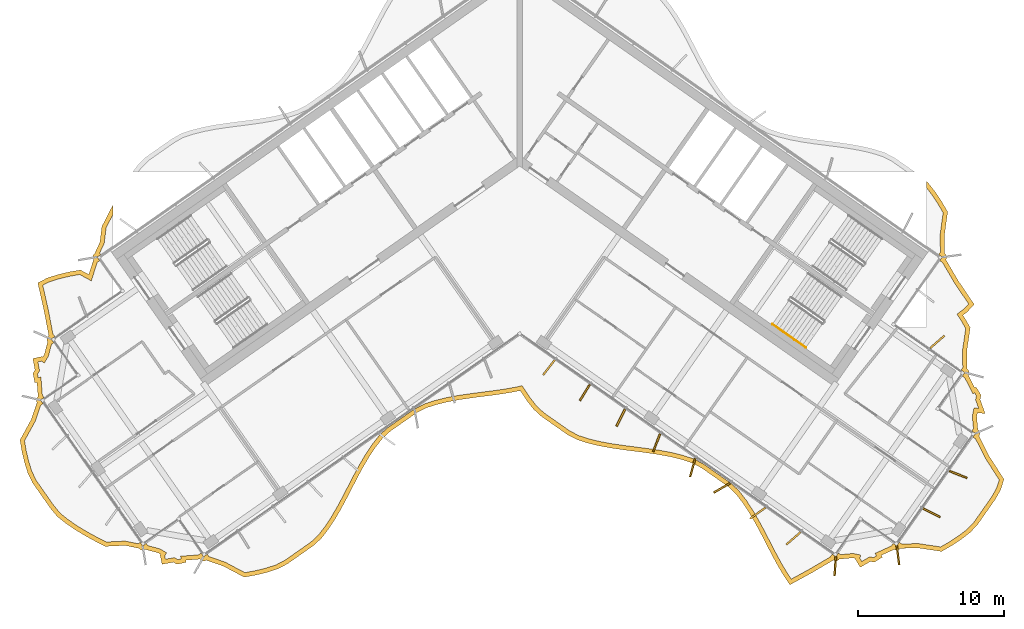
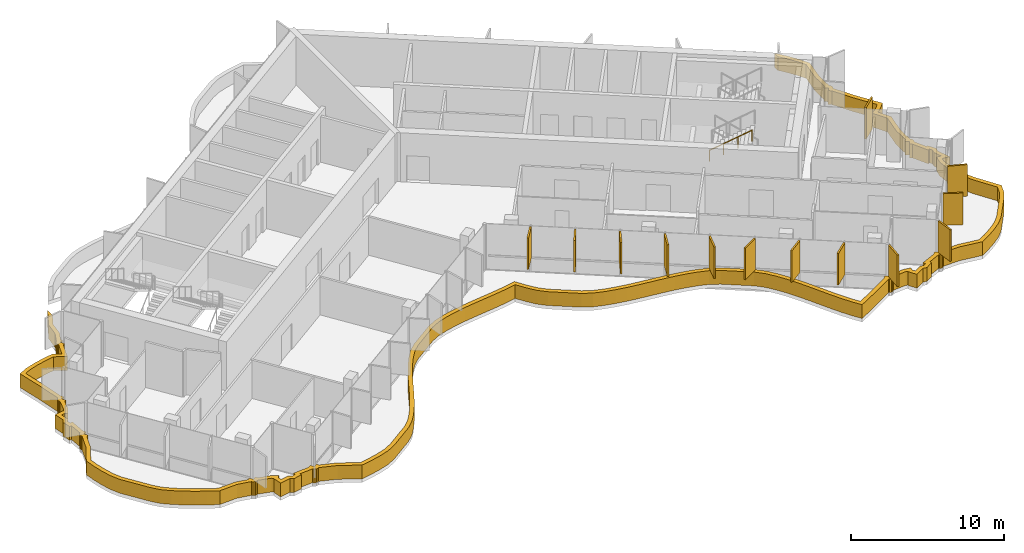
# One storey, part 16 of 18: 14 shading devices, 1 railing.
"""IFC4 building model written with IfcOpenShell, lengths in metres."""

from ifc_helpers import new_model, si_unit, direction, frame, origin, origin_2d, place, context, subcontext, project, spatial, polyline, rectangle, circle, outline, extrude, material, layer, layer_set, type_object, element, save


model = new_model("IFC4")

# Units and contexts
model_context = context("Model", 3, precision=1e-05, world=origin(), true_north=direction((0.0, 1.0)))
body_context = subcontext(model_context, "Body", "Model", "MODEL_VIEW")
ifc_project = project(units=[si_unit("LENGTHUNIT", "METRE"), si_unit("AREAUNIT", "SQUARE_METRE"), si_unit("VOLUMEUNIT", "CUBIC_METRE"), si_unit("PLANEANGLEUNIT", "RADIAN"), si_unit("MASSUNIT", "GRAM", prefix="KILO")], contexts=[model_context])

# Site, building, storey
site_placement = place(None, origin())
site = spatial("IfcSite", under=ifc_project, at=site_placement, CompositionType="ELEMENT")
building_placement = place(site_placement, origin())
building = spatial("IfcBuilding", under=site, at=building_placement, Name="Tel Ilan Convention Tower", CompositionType="ELEMENT")
storey_placement = place(building_placement, frame((0.0, 0.0, 260.5)))
storey = spatial("IfcBuildingStorey", under=building, at=storey_placement, Name="L61", CompositionType="ELEMENT", Elevation=260.5)

# Shading devices
ifc_material_1 = material(Name="Aluminium, bronze anodised", Category="aluminium")
ifc_layer_1 = layer(ifc_material_1, 0.1201171875)
ifc_layer_set_1 = layer_set([ifc_layer_1], Name="FIN BRONZE 1300x120")
shading_device_type_1 = type_object("IfcShadingDeviceType", Name="FIN BRONZE 1300x120", PredefinedType="USERDEFINED", material=ifc_layer_set_1)
for number, where, z_axis, x_axis, name in (
    (1, (2.007568359375, -15.019287109375, 1.10009765625), (0.0, 0.0, 1.0), (-0.612600545196, -0.790392669516, 0.0), "FIN"),
    (2, (4.466552734375, -16.740966796875, 1.10009765625), (0.0, 0.0, 1.0), (-0.533204432798, -0.845986425922, 0.0), "FIN"),
    (3, (6.92529296875, -18.46240234375, 1.10009765625), (0.0, 0.0, 1.0), (-0.448799180206, -0.893632640321, 0.0), "FIN"),
    (4, (9.38671875, -20.177978515625, 1.10009765625), (0.0, 0.0, 1.0), (-0.360177724803, -0.932883704733, 0.0), "FIN"),
    (5, (11.8505859375, -21.887939453125, 1.10009765625), (0.0, 0.0, 1.0), (-0.268172612768, -0.963370878614, 0.0), "FIN"),
    (6, (13.865966796875, -23.276611328125, 1.10009765625), (0.0, 0.0, 1.0), (-0.866025403784, -0.5, 0.0), "FIN"),
    (7, (16.310302734375, -25.0107421875, 1.10009765625), (0.0, 0.0, 1.0), (-0.813552070258, -0.581492071294, 0.0), "FIN"),
    (8, (18.759765625, -26.7412109375, 1.10009765625), (0.0, 0.0, 1.0), (-0.753435896329, -0.657521368568, 0.0), "FIN"),
    (9, (21.623046875, -28.650146484375, 1.10009765625), (0.0, 0.0, 1.0), (-0.067821812994, -0.997697449973, 0.0), "FIN"),
    (10, (25.925048828125, -27.8984375, 1.10009765625), (0.0, 0.0, 1.0), (0.125718016748, -0.992066016082, 0.0), "FIN"),
    (11, (28.227783203125, -24.98095703125, 1.10009765625), (0.0, 0.0, 1.0), (0.893632640321, -0.448799180206, 0.0), "FIN"),
    (12, (30.05517578125, -22.360107421875, 1.10009765625), (0.0, 0.0, 1.0), (0.932883704733, -0.360177724803, 0.0), "FIN"),
    (13, (28.6201171875, -13.27099609375, 1.10009765625), (0.0, 0.0, 1.0), (0.753435896329, 0.657521368568, 0.0), "FIN"),
):
    element("IfcShadingDevice", number, at=place(storey_placement, frame(where, z_axis=z_axis, x_axis=x_axis)), inside=storey, type_object=shading_device_type_1, Name=name, ObjectType="FIN", PredefinedType="USERDEFINED", context=body_context, shape_type="SweptSolid", body=[
        extrude(rectangle(XDim=1.300048828125, YDim=0.1201171875, at=origin_2d()), origin(), (0.0, 0.0, 1.0), 2.52001953125),
    ])
ifc_material_2 = material(Name="Aluminium, bronze anodised", Category="aluminium")
ifc_layer_2 = layer(ifc_material_2, 0.300048828125)
ifc_layer_set_2 = layer_set([ifc_layer_2], Name="LOUVRE BAND 300x1100")
shading_device_type_2 = type_object("IfcShadingDeviceType", Name="LOUVRE BAND 300x1100", PredefinedType="USERDEFINED", material=ifc_layer_set_2)
shading_device_placement = place(storey_placement, origin())
element("IfcShadingDevice", 14, at=shading_device_placement, inside=storey, type_object=shading_device_type_2, Name="LOUVRE BAND 46.01", ObjectType="LOUVRE", PredefinedType="USERDEFINED", context=body_context, shape_type="SweptSolid", body=[
    extrude(outline(polyline([(-33.47021484375, -18.574462890625), (-34.248779296875, -19.995849609375), (-34.1181640625, -20.780517578125), (-33.940185546875, -21.531982421875), (-33.7158203125, -22.2509765625), (-33.401611328125, -22.906982421875), (-32.166748046875, -24.670654296875), (-31.707763671875, -25.22509765625), (-31.125732421875, -25.69384765625), (-30.49462890625, -26.1279296875), (-29.82373046875, -26.5341796875), (-29.12353515625, -26.920166015625), (-28.398193359375, -27.288330078125), (-27.05419921875, -27.223388671875), (-26.083984375, -27.420166015625), (-26.05517578125, -27.46337890625), (-25.957763671875, -27.5283203125), (-25.843017578125, -27.55126953125), (-25.728271484375, -27.5283203125), (-25.674072265625, -27.492431640625), (-24.7724609375, -27.73388671875), (-24.61669921875, -27.828857421875), (-24.64697265625, -27.878662109375), (-24.51416015625, -28.518310546875), (-23.728759765625, -28.3701171875), (-23.49462890625, -28.5126953125), (-22.855224609375, -28.3798828125), (-22.8828125, -28.233154296875), (-21.90576171875, -28.15673828125), (-21.876953125, -28.2001953125), (-21.779541015625, -28.26513671875), (-21.664794921875, -28.2880859375), (-21.550048828125, -28.26513671875), (-21.49609375, -28.22900390625), (-20.311279296875, -28.64013671875), (-18.883544921875, -29.3984375), (-18.087646484375, -29.25439453125), (-17.32080078125, -29.068359375), (-16.588623046875, -28.833251953125), (-15.931640625, -28.490478515625), (-14.12646484375, -27.226318359375), (-13.582763671875, -26.721923828125), (-13.1123046875, -26.113037109375), (-12.67626953125, -25.454833984375), (-12.267333984375, -24.7578125), (-11.877197265625, -24.0341796875), (-11.11572265625, -22.56005859375), (-10.724853515625, -21.83740234375), (-10.314697265625, -21.142333984375), (-9.877197265625, -20.486572265625), (-9.404541015625, -19.88037109375), (-8.85498046875, -19.384765625), (-7.049560546875, -18.12060546875), (-6.386474609375, -17.78662109375), (-5.65234375, -17.55419921875), (-4.884033203125, -17.370849609375), (-4.088623046875, -17.225830078125), (-3.274658203125, -17.107421875), (-1.629150390625, -16.895751953125), (-0.816650390625, -16.775146484375), (0.033203125, -16.6123046875), (0.470458984375, -17.269775390625), (0.94189453125, -17.877197265625), (1.488525390625, -18.377197265625), (3.2939453125, -19.641357421875), (3.953857421875, -19.979736328125), (4.68701171875, -20.213623046875), (5.45458984375, -20.398193359375), (6.24951171875, -20.5439453125), (7.06298828125, -20.6630859375), (8.70849609375, -20.87451171875), (9.521240234375, -20.99462890625), (10.314697265625, -21.142333984375), (11.080810546875, -21.329345703125), (11.811767578125, -21.56591796875), (12.4658203125, -21.912841796875), (14.27099609375, -23.177001953125), (14.811767578125, -23.685791015625), (15.28125, -24.29638671875), (15.71630859375, -24.95556640625), (16.12451171875, -25.653564453125), (16.51416015625, -26.3779296875), (17.27587890625, -27.851806640625), (17.6669921875, -28.573974609375), (18.077880859375, -29.26806640625), (18.5185546875, -29.91943359375), (19.969482421875, -29.128173828125), (21.49609375, -28.22900390625), (21.550048828125, -28.26513671875), (21.664794921875, -28.2880859375), (21.779541015625, -28.26513671875), (21.876953125, -28.2001953125), (21.90576171875, -28.15673828125), (22.8359375, -28.075439453125), (23.0146484375, -28.111328125), (23.003173828125, -28.168701171875), (23.3466796875, -28.72412109375), (24.0341796875, -28.316162109375), (24.302734375, -28.370361328125), (24.8583984375, -28.02685546875), (24.7822265625, -27.8984375), (25.674072265625, -27.492431640625), (25.728271484375, -27.5283203125), (25.843017578125, -27.55126953125), (25.957763671875, -27.5283203125), (26.05517578125, -27.46337890625), (26.083984375, -27.420166015625), (27.309326171875, -27.395263671875), (28.911376953125, -27.634521484375), (29.60546875, -27.237548828125), (30.25439453125, -26.809326171875), (30.856201171875, -26.347900390625), (31.3623046875, -25.819580078125), (32.6064453125, -24.042724609375), (32.962646484375, -23.409423828125), (33.192138671875, -22.687255859375), (32.166015625, -21.086181640625), (31.4755859375, -19.719970703125), (31.51171875, -19.666015625), (31.53466796875, -19.55126953125), (31.51171875, -19.4365234375), (31.44677734375, -19.339111328125), (31.4033203125, -19.31005859375), (31.322021484375, -18.380126953125), (31.373779296875, -18.12255859375), (31.9052734375, -18.189697265625), (31.555419921875, -17.218994140625), (31.616943359375, -16.9130859375), (31.2734375, -16.357666015625), (31.182861328125, -16.411376953125), (30.739013671875, -15.541748046875), (30.775146484375, -15.48779296875), (30.7978515625, -15.373046875), (30.775146484375, -15.25830078125), (30.7099609375, -15.160888671875), (30.666748046875, -15.1318359375), (30.642822265625, -13.902099609375), (30.879638671875, -12.2998046875), (30.48095703125, -11.605224609375), (30.3720703125, -11.4404296875), (30.66748046875, -11.218994140625), (31.151123046875, -10.703125), (30.056640625, -9.082275390625), (29.199951171875, -7.6279296875), (29.236083984375, -7.57373046875), (29.2587890625, -7.458984375), (29.236083984375, -7.34423828125), (29.1708984375, -7.246826171875), (29.127685546875, -7.218017578125), (29.10986328125, -5.95947265625), (29.331298828125, -4.35888671875), (28.922119140625, -3.659423828125), (28.48388671875, -3.001220703125), (28.0107421875, -2.392822265625), (27.874755859375, -2.269287109375), (27.874755859375, -2.70654296875), (28.240234375, -3.176513671875), (28.66748046875, -3.818359375), (29.02001953125, -4.420654296875), (28.809326171875, -5.941162109375), (28.829345703125, -7.12109375), (28.713134765625, -7.286865234375), (28.958740234375, -7.458984375), (28.787353515625, -7.705322265625), (28.97900390625, -7.83935546875), (29.802734375, -9.2421875), (30.7685546875, -10.672607421875), (30.466552734375, -10.99462890625), (29.9658203125, -11.369873046875), (30.225341796875, -11.7626953125), (30.567626953125, -12.35888671875), (30.34228515625, -13.88330078125), (30.367919921875, -15.03564453125), (30.252197265625, -15.200927734375), (30.497802734375, -15.373046875), (30.326416015625, -15.619140625), (30.510009765625, -15.747802734375), (31.060302734375, -16.832763671875), (31.173095703125, -16.765869140625), (31.29931640625, -16.97021484375), (31.244873046875, -17.241943359375), (31.45703125, -17.830810546875), (31.134765625, -17.7900390625), (31.019287109375, -18.364013671875), (31.097900390625, -19.223388671875), (30.98876953125, -19.379150390625), (31.234619140625, -19.55126953125), (31.063232421875, -19.79736328125), (31.246337890625, -19.92578125), (31.905029296875, -21.23486328125), (32.863525390625, -22.730712890625), (32.68603515625, -23.289306640625), (32.352294921875, -23.8828125), (31.129638671875, -25.628662109375), (30.6552734375, -26.123779296875), (30.080322265625, -26.56494140625), (29.4482421875, -26.98193359375), (28.852783203125, -27.322265625), (27.328125, -27.0947265625), (26.18017578125, -27.12109375), (26.01513671875, -27.005615234375), (25.843017578125, -27.251220703125), (25.5966796875, -27.079833984375), (25.472412109375, -27.257568359375), (24.35302734375, -27.762939453125), (24.4501953125, -27.926513671875), (24.245849609375, -28.052734375), (23.980224609375, -27.99951171875), (23.447021484375, -28.31591796875), (23.32080078125, -28.111572265625), (23.367919921875, -27.87646484375), (22.85205078125, -27.772705078125), (21.99267578125, -27.851318359375), (21.8369140625, -27.7421875), (21.664794921875, -27.988037109375), (21.418701171875, -27.816650390625), (21.284423828125, -28.008056640625), (19.82177734375, -28.866943359375), (18.6142578125, -29.525634765625), (18.331298828125, -29.107666015625), (17.92822265625, -28.426025390625), (17.541015625, -27.71142578125), (16.779541015625, -26.238037109375), (16.38623046875, -25.506591796875), (15.97119140625, -24.797119140625), (15.525634765625, -24.1220703125), (15.034912109375, -23.48388671875), (14.4609375, -22.94384765625), (12.62255859375, -21.656494140625), (11.92919921875, -21.288818359375), (11.16259765625, -21.04052734375), (10.3779296875, -20.848876953125), (9.570556640625, -20.69873046875), (8.749755859375, -20.577392578125), (7.103759765625, -20.36572265625), (6.29833984375, -20.248046875), (5.516845703125, -20.1044921875), (4.767822265625, -19.924560546875), (4.068603515625, -19.701416015625), (3.44921875, -19.3837890625), (1.6767578125, -18.142822265625), (1.163330078125, -17.673095703125), (0.714111328125, -17.094482421875), (0.165771484375, -16.269775390625), (-0.087890625, -16.33349609375), (-0.866455078125, -16.479248046875), (-1.67041015625, -16.5986328125), (-3.315185546875, -16.81005859375), (-4.136962890625, -16.9296875), (-4.945556640625, -17.0771484375), (-5.732666015625, -17.264892578125), (-6.5, -17.5078125), (-7.203857421875, -17.8623046875), (-9.042236328125, -19.1494140625), (-9.625, -19.67529296875), (-10.12060546875, -20.310791015625), (-10.56884765625, -20.982666015625), (-10.986083984375, -21.68994140625), (-11.380859375, -22.419677734375), (-12.142578125, -23.89404296875), (-12.529052734375, -24.61083984375), (-12.930908203125, -25.2958984375), (-13.356201171875, -25.938232421875), (-13.804931640625, -26.518798828125), (-14.315185546875, -26.992431640625), (-16.087890625, -28.233642578125), (-16.704833984375, -28.555419921875), (-17.402099609375, -28.779541015625), (-18.149658203125, -28.960693359375), (-18.83447265625, -29.084716796875), (-20.19140625, -28.3642578125), (-21.302978515625, -27.981689453125), (-21.418701171875, -27.816650390625), (-21.664794921875, -27.988037109375), (-21.8369140625, -27.7421875), (-22.01513671875, -27.8671875), (-23.239990234375, -27.959228515625), (-23.20458984375, -28.14599609375), (-23.439697265625, -28.19482421875), (-23.671142578125, -28.053955078125), (-24.2802734375, -28.1689453125), (-24.3291015625, -27.933837890625), (-24.204345703125, -27.72900390625), (-24.65380859375, -27.455078125), (-25.48828125, -27.23486328125), (-25.5966796875, -27.079833984375), (-25.843017578125, -27.251220703125), (-26.01513671875, -27.005615234375), (-26.15478515625, -27.103271484375), (-27.03076171875, -26.921875), (-28.333251953125, -26.98486328125), (-28.983154296875, -26.65478515625), (-29.673583984375, -26.2744140625), (-30.331787109375, -25.8759765625), (-30.946533203125, -25.453125), (-31.495849609375, -25.010498046875), (-31.927978515625, -24.488525390625), (-33.141845703125, -22.755126953125), (-33.43603515625, -22.140869140625), (-33.650634765625, -21.45263671875), (-33.823974609375, -20.72119140625), (-33.935791015625, -20.048828125), (-33.1943359375, -18.6953125), (-32.833251953125, -17.61865234375), (-32.669189453125, -17.50390625), (-32.840576171875, -17.257568359375), (-32.594970703125, -17.08544921875), (-32.7197265625, -16.9072265625), (-32.811767578125, -15.6826171875), (-32.998779296875, -15.7177734375), (-33.047607421875, -15.482666015625), (-32.906494140625, -15.251220703125), (-33.021484375, -14.64208984375), (-32.786376953125, -14.59326171875), (-32.58154296875, -14.718017578125), (-32.3076171875, -14.268798828125), (-32.087646484375, -13.434326171875), (-31.932373046875, -13.32568359375), (-32.103759765625, -13.079345703125), (-31.858154296875, -12.9072265625), (-31.993408203125, -12.714111328125), (-32.314697265625, -11.033447265625), (-32.68798828125, -9.385986328125), (-32.26708984375, -9.168701171875), (-31.5771484375, -8.950439453125), (-30.838623046875, -8.77392578125), (-30.161376953125, -8.65625), (-29.363525390625, -9.087646484375), (-28.950439453125, -7.8193359375), (-28.787353515625, -7.705322265625), (-28.958740234375, -7.458984375), (-28.713134765625, -7.286865234375), (-28.785888671875, -7.182861328125), (-28.480224609375, -6.525634765625), (-28.343994140625, -5.44384765625), (-27.874755859375, -4.536376953125), (-27.874755859375, -3.881103515625), (-28.635009765625, -5.353271484375), (-28.772216796875, -6.441650390625), (-29.127685546875, -7.218017578125), (-29.1708984375, -7.246826171875), (-29.236083984375, -7.34423828125), (-29.2587890625, -7.458984375), (-29.236083984375, -7.57373046875), (-29.199951171875, -7.6279296875), (-29.537353515625, -8.652587890625), (-30.110107421875, -8.3427734375), (-30.899169921875, -8.47998046875), (-31.6572265625, -8.661376953125), (-32.3818359375, -8.890380859375), (-33.031982421875, -9.225830078125), (-32.6083984375, -11.094970703125), (-32.272705078125, -12.83837890625), (-32.31591796875, -12.8671875), (-32.381103515625, -12.964599609375), (-32.40380859375, -13.079345703125), (-32.381103515625, -13.1943359375), (-32.344970703125, -13.248291015625), (-32.586669921875, -14.14990234375), (-32.681640625, -14.3056640625), (-32.7314453125, -14.275390625), (-33.370849609375, -14.408203125), (-33.22265625, -15.193603515625), (-33.365478515625, -15.427734375), (-33.232666015625, -16.067138671875), (-33.0859375, -16.03955078125), (-33.009521484375, -17.0166015625), (-33.052734375, -17.04541015625), (-33.11767578125, -17.142822265625), (-33.140625, -17.257568359375), (-33.11767578125, -17.372314453125), (-33.081787109375, -17.426513671875), (-33.47021484375, -18.574462890625)])), origin(), (0.0, 0.0, 1.0), 1.10009765625),
])

# Railing
ifc_material_3 = material(Name="Stainless Steel Grade 316", Category="steel")
railing_type = type_object("IfcRailingType", Name="Stainless Steel Stair Handrail 900 mm", PredefinedType="HANDRAIL", material=ifc_material_3)
railing_placement = place(storey_placement, frame((17.312744140625, -12.0615234375, 2.127197265625)))
element("IfcRailing", 15, at=railing_placement, inside=storey, type_object=railing_type, Name="L61 S4 stair handrail 2", PredefinedType="HANDRAIL", context=body_context, shape_type="SweptSolid", body=[
    extrude(circle(Radius=0.02392578125, at=origin_2d()), frame((0.0, 0.0, 0.8759765625), z_axis=(0.692123088272, -0.484596665743, 0.534912798717), x_axis=(0.573550118428, 0.819170471667, 0.0)), (0.0, 0.0, 1.0), 3.31396484375),
    extrude(circle(Radius=0.02099609375, at=origin_2d()), origin(), (0.0, 0.0, 1.0), 0.851806640625),
    extrude(circle(Radius=0.02099609375, at=origin_2d()), frame((0.7646484375, -0.535400390625, 0.5908203125)), (0.0, 0.0, 1.0), 0.851806640625),
    extrude(circle(Radius=0.02099609375, at=origin_2d()), frame((1.529052734375, -1.070556640625, 1.181884765625)), (0.0, 0.0, 1.0), 0.851806640625),
    extrude(circle(Radius=0.02099609375, at=origin_2d()), frame((2.293701171875, -1.60595703125, 1.772705078125)), (0.0, 0.0, 1.0), 0.851806640625),
])

save(model, "model.ifc")
